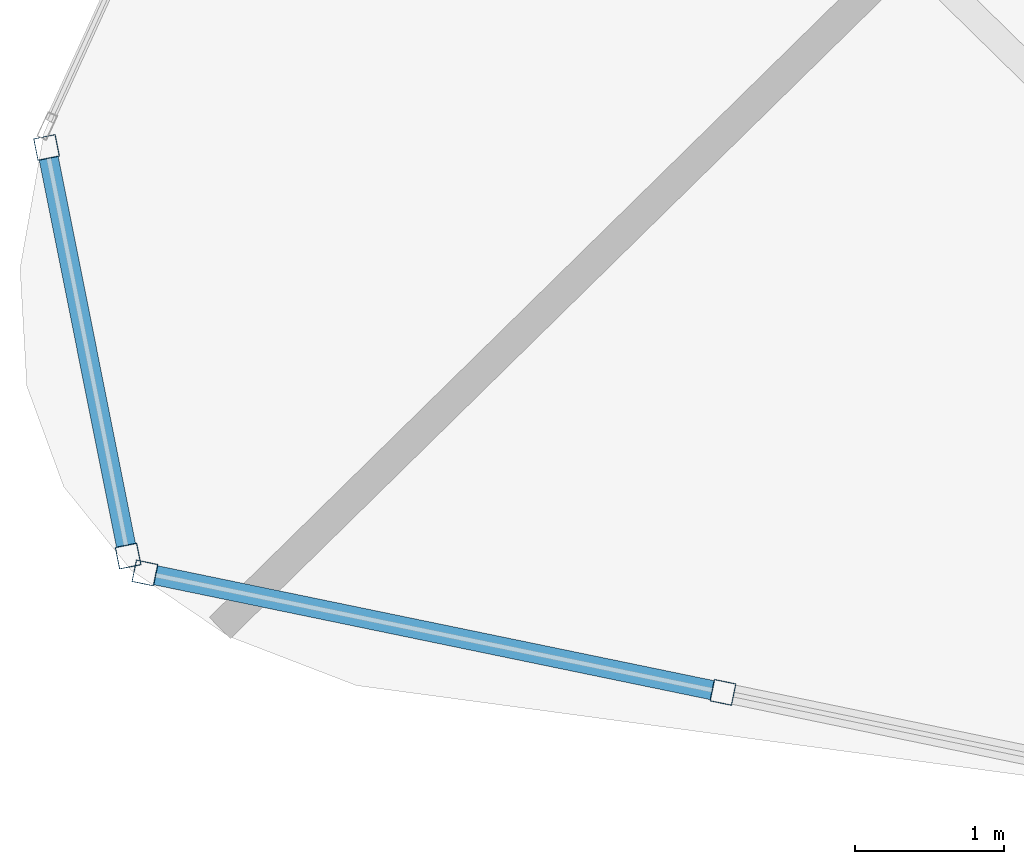
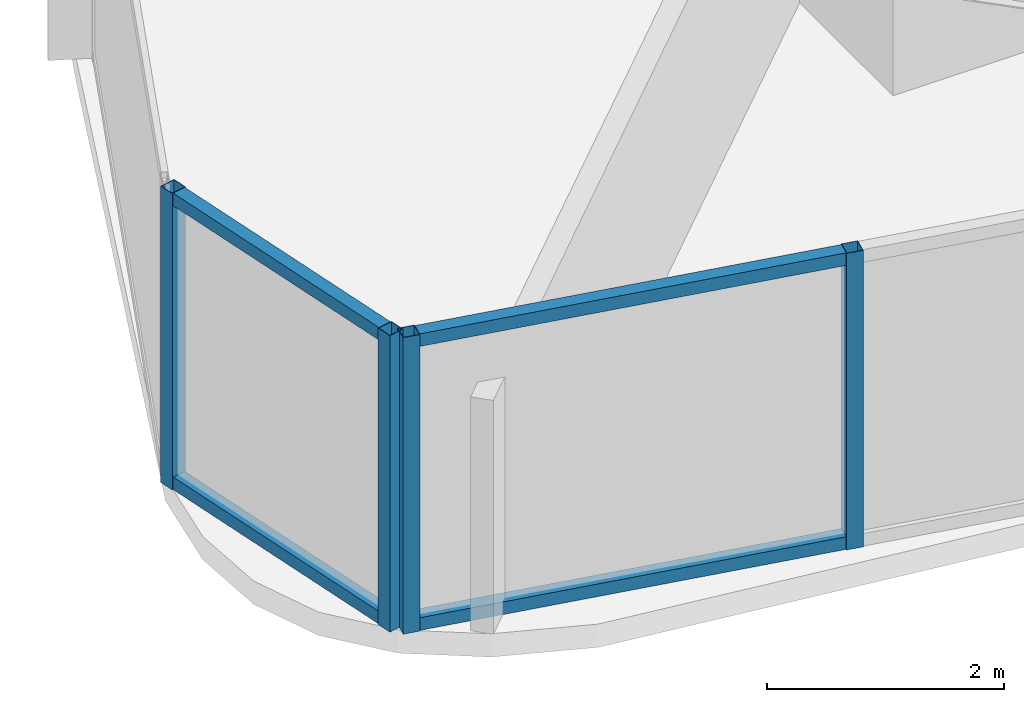
# One storey, part 2 of 33: 8 members, 2 elements without a shape of their own.
"""IFC4 building model written with IfcOpenShell, lengths in metres."""

from ifc_helpers import new_model, si_unit, direction, frame, origin, origin_2d, place, context, subcontext, project, spatial, hollow_rectangle, extrude, material, layer, layer_set, material_profile, profile_set, type_object, element, aggregate, save


model = new_model("IFC4")

# Units and contexts
model_context = context("Model", 3, precision=1e-05, world=origin(), true_north=direction((0.0, 1.0)))
body_context = subcontext(model_context, "Body", "Model", "MODEL_VIEW")
ifc_project = project(units=[si_unit("LENGTHUNIT", "METRE"), si_unit("AREAUNIT", "SQUARE_METRE"), si_unit("VOLUMEUNIT", "CUBIC_METRE"), si_unit("PLANEANGLEUNIT", "RADIAN"), si_unit("MASSUNIT", "GRAM", prefix="KILO")], contexts=[model_context])

# Site, building, storey
site_placement = place(None, origin())
site = spatial("IfcSite", under=ifc_project, at=site_placement, CompositionType="ELEMENT")
building_placement = place(site_placement, origin())
building = spatial("IfcBuilding", under=site, at=building_placement, Name="Orvanel Arch Residences", CompositionType="ELEMENT")
storey_placement = place(building_placement, frame((0.0, 0.0, 70.85009765625)))
storey = spatial("IfcBuildingStorey", under=building, at=storey_placement, Name="L19", CompositionType="ELEMENT", Elevation=70.85009765625)

# Curtain wall, members
ifc_material = material(Name="Bronze-anodised aluminium AA6063-T6", Category="aluminium")
ifc_layer = layer(ifc_material, 0.18994140625)
ifc_layer_set = layer_set([ifc_layer], Name="Bronze-anodised aluminium AA6063-T6")
curtain_wall_type = type_object("IfcCurtainWallType", Name="CW5-CRN-SYS", PredefinedType="NOTDEFINED", material=ifc_layer_set)
curtain_wall_1_placement = place(storey_placement, origin())
curtain_wall_1 = element("IfcCurtainWall", 1, at=curtain_wall_1_placement, inside=storey, type_object=curtain_wall_type, Name="L19 CW5-CRN-SYS Unitised Curtain Wall", PredefinedType="NOTDEFINED")
ifc_material_profile_1 = material_profile(ifc_material, hollow_rectangle(XDim=0.14990234375, YDim=0.14990234375, WallThickness=0.0048828125, at=origin_2d()), Name="ALU150x150x5")
ifc_profile_set_1 = profile_set([ifc_material_profile_1], Name="Bronze-anodised aluminium AA6063-T6")
member_type_1 = type_object("IfcMemberType", Name="MUL-150x150", PredefinedType="MULLION", material=ifc_profile_set_1)
member_1_placement = place(storey_placement, frame((5.275634765625, 7.6513671875, 0.0), z_axis=(0.0, 0.0, 1.0), x_axis=(0.980659148217, 0.195723363495, 0.0)))
member_1 = element("IfcMember", 2, at=member_1_placement, type_object=member_type_1, Name="CW-S5 mullion 1", PredefinedType="MULLION", context=body_context, shape_type="SweptSolid", body=[
    extrude(hollow_rectangle(XDim=0.14990234375, YDim=0.14990234375, WallThickness=0.0048828125, at=origin_2d()), origin(), (0.0, 0.0, 1.0), 3.059814453125),
])
member_2_placement = place(storey_placement, frame((5.8212890625, 4.91748046875, 0.0), z_axis=(0.0, 0.0, 1.0), x_axis=(0.980659148217, 0.195723363495, 0.0)))
member_2 = element("IfcMember", 3, at=member_2_placement, type_object=member_type_1, Name="CW-S5 mullion 2", PredefinedType="MULLION", context=body_context, shape_type="SweptSolid", body=[
    extrude(hollow_rectangle(XDim=0.14990234375, YDim=0.14990234375, WallThickness=0.0048828125, at=origin_2d()), origin(), (0.0, 0.0, 1.0), 3.059814453125),
])

curtain_wall_2_placement = place(storey_placement, origin())
curtain_wall_2 = element("IfcCurtainWall", 4, at=curtain_wall_2_placement, inside=storey, type_object=curtain_wall_type, Name="L19 CW5-CRN-SYS Unitised Curtain Wall", PredefinedType="NOTDEFINED")
member_3_placement = place(storey_placement, frame((5.933349609375, 4.804931640625, 0.0), z_axis=(0.0, 0.0, 1.0), x_axis=(0.202301523353, 0.979323283522, 0.0)))
member_3 = element("IfcMember", 5, at=member_3_placement, type_object=member_type_1, Name="CW-S5 mullion 1", PredefinedType="MULLION", context=body_context, shape_type="SweptSolid", body=[
    extrude(hollow_rectangle(XDim=0.14990234375, YDim=0.14990234375, WallThickness=0.0048828125, at=origin_2d()), origin(), (0.0, 0.0, 1.0), 3.059814453125),
])
member_4_placement = place(storey_placement, frame((9.800537109375, 4.006103515625, 0.0), z_axis=(0.0, 0.0, 1.0), x_axis=(0.202301523353, 0.979323283522, 0.0)))
member_4 = element("IfcMember", 6, at=member_4_placement, type_object=member_type_1, Name="CW-S5 mullion 2", PredefinedType="MULLION", context=body_context, shape_type="SweptSolid", body=[
    extrude(hollow_rectangle(XDim=0.14990234375, YDim=0.14990234375, WallThickness=0.0048828125, at=origin_2d()), origin(), (0.0, 0.0, 1.0), 3.059814453125),
])

# Member
ifc_material_profile_2 = material_profile(ifc_material, hollow_rectangle(XDim=0.1298828125, YDim=0.1298828125, WallThickness=0.00439453125, at=origin_2d()), Name="ALU130x130x4.5")
ifc_profile_set_2 = profile_set([ifc_material_profile_2], Name="Bronze-anodised aluminium AA6063-T6")
member_type_2 = type_object("IfcMemberType", Name="TRN-130x130", PredefinedType="USERDEFINED", material=ifc_profile_set_2)
member_5_placement = place(storey_placement, frame((5.290283203125, 7.577880859375, 0.06494140625), z_axis=(0.195760129979, -0.980651809518, 0.0), x_axis=(0.980651809518, 0.195760129979, 0.0)))
member_5 = element("IfcMember", 7, at=member_5_placement, type_object=member_type_2, Name="CW-S5 transom 1.1", ObjectType="TRANSOM", PredefinedType="USERDEFINED", context=body_context, shape_type="SweptSolid", body=[
    extrude(hollow_rectangle(XDim=0.1298828125, YDim=0.1298828125, WallThickness=0.00439453125, at=origin_2d()), origin(), (0.0, 0.0, 1.0), 2.6376953125),
])

member_6_placement = place(storey_placement, frame((5.290283203125, 7.577880859375, 2.994873046875), z_axis=(0.195760129979, -0.980651809518, 0.0), x_axis=(0.980651809518, 0.195760129979, 0.0)))
member_6 = element("IfcMember", 8, at=member_6_placement, type_object=member_type_2, Name="CW-S5 transom 1.2", ObjectType="TRANSOM", PredefinedType="USERDEFINED", context=body_context, shape_type="SweptSolid", body=[
    extrude(hollow_rectangle(XDim=0.1298828125, YDim=0.1298828125, WallThickness=0.00439453125, at=origin_2d()), origin(), (0.0, 0.0, 1.0), 2.6376953125),
])

aggregate(curtain_wall_1, [member_1, member_2, member_5, member_6])

member_7_placement = place(storey_placement, frame((6.0068359375, 4.78955078125, 0.06494140625), z_axis=(0.979332906818, -0.202254932259, 0.0), x_axis=(0.202254932259, 0.979332906818, 0.0)))
member_7 = element("IfcMember", 9, at=member_7_placement, type_object=member_type_2, Name="CW-S5 transom 1.1", ObjectType="TRANSOM", PredefinedType="USERDEFINED", context=body_context, shape_type="SweptSolid", body=[
    extrude(hollow_rectangle(XDim=0.1298828125, YDim=0.1298828125, WallThickness=0.00439453125, at=origin_2d()), origin(), (0.0, 0.0, 1.0), 3.798828125),
])

member_8_placement = place(storey_placement, frame((6.0068359375, 4.78955078125, 2.994873046875), z_axis=(0.979332906818, -0.202254932259, 0.0), x_axis=(0.202254932259, 0.979332906818, 0.0)))
member_8 = element("IfcMember", 10, at=member_8_placement, type_object=member_type_2, Name="CW-S5 transom 1.2", ObjectType="TRANSOM", PredefinedType="USERDEFINED", context=body_context, shape_type="SweptSolid", body=[
    extrude(hollow_rectangle(XDim=0.1298828125, YDim=0.1298828125, WallThickness=0.00439453125, at=origin_2d()), origin(), (0.0, 0.0, 1.0), 3.798828125),
])

aggregate(curtain_wall_2, [member_3, member_4, member_7, member_8])

save(model, "model.ifc")
